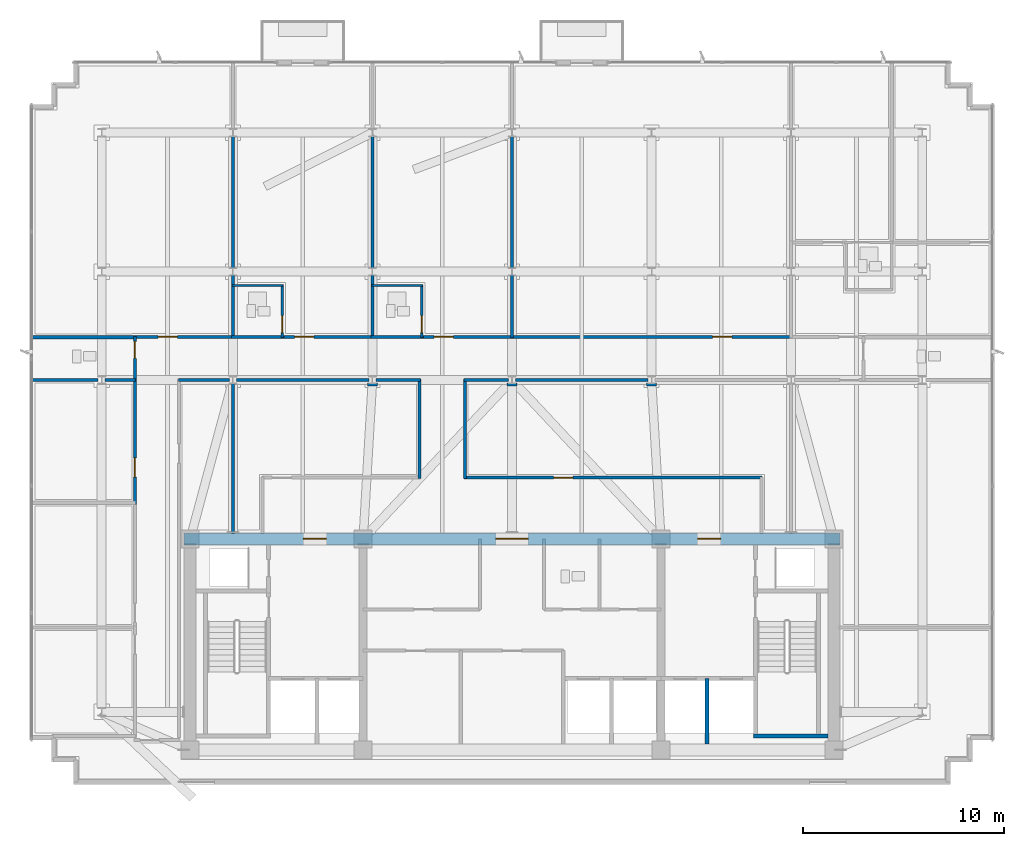
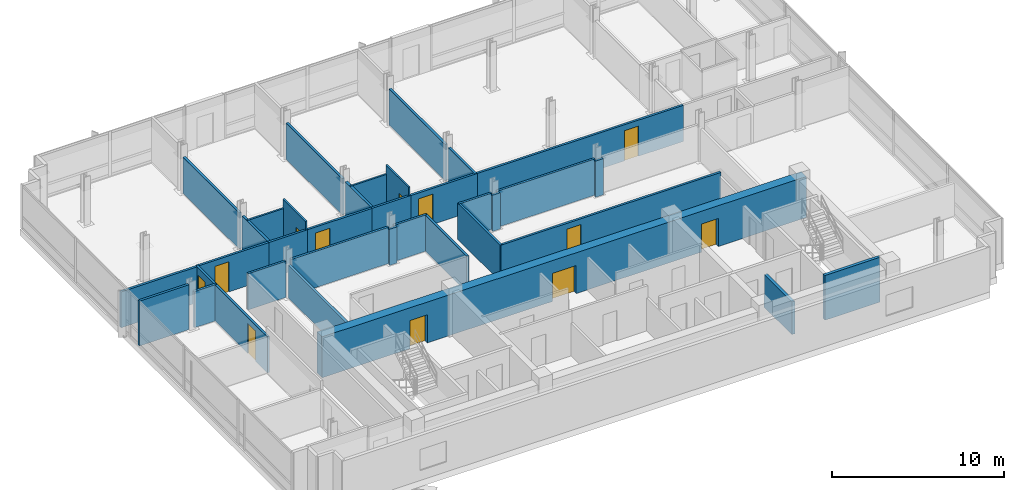
# One storey, part 9 of 16: 36 walls, 12 doors, 12 openings.
"""IFC4 building model written with IfcOpenShell, lengths in metres."""

from ifc_helpers import new_model, si_unit, direction, frame, frame_2d, origin, place, context, subcontext, project, spatial, rectangle, extrude, material, layer, layer_set, type_object, element, fill, save


model = new_model("IFC4")

# Units and contexts
model_context = context("Model", 3, precision=1e-05, world=origin(), true_north=direction((0.0, 1.0)))
body_context = subcontext(model_context, "Body", "Model", "MODEL_VIEW")
ifc_project = project(units=[si_unit("LENGTHUNIT", "METRE"), si_unit("AREAUNIT", "SQUARE_METRE"), si_unit("VOLUMEUNIT", "CUBIC_METRE"), si_unit("PLANEANGLEUNIT", "RADIAN"), si_unit("MASSUNIT", "GRAM", prefix="KILO")], contexts=[model_context])

# Site, building, storey
site_placement = place(None, origin())
site = spatial("IfcSite", under=ifc_project, at=site_placement, CompositionType="ELEMENT")
building_placement = place(site_placement, origin())
building = spatial("IfcBuilding", under=site, at=building_placement, Name="Solmavex Isthmus Hotel", CompositionType="ELEMENT")
storey_placement = place(building_placement, frame((0.0, 0.0, 245.39990234375)))
storey = spatial("IfcBuildingStorey", under=building, at=storey_placement, Name="L66", CompositionType="ELEMENT", Elevation=245.39990234375)

# Walls
ifc_material_1 = material(Name="Gypsum plasterboard lining", Category="gypsum")
ifc_layer_1 = layer(ifc_material_1, 0.159912109375)
ifc_layer_set_1 = layer_set([ifc_layer_1], Name="Gypsum plasterboard lining")
wall_type_1 = type_object("IfcWallType", Name="IW-COMP-160", PredefinedType="PARTITIONING", material=ifc_layer_set_1)
wall_1_placement = place(storey_placement, frame((-13.8720703125, 10.613037109375, 0.0), z_axis=(0.0, 0.0, 1.0), x_axis=(0.0, -1.0, 0.0)))
element("IfcWall", 1, at=wall_1_placement, inside=storey, type_object=wall_type_1, Name="Interior Partition Wall W-L66-P031", PredefinedType="PARTITIONING", context=body_context, shape_type="SweptSolid", body=[
    extrude(rectangle(XDim=3.10302734375, YDim=0.159912109375, at=frame_2d((1.551513671875, 0.0))), origin(), (0.0, 0.0, 1.0), 2.572509765625),
])
wall_2_placement = place(storey_placement, frame((-13.8720703125, 17.52490234375, 0.0), z_axis=(0.0, 0.0, 1.0), x_axis=(0.0, -1.0, 0.0)))
element("IfcWall", 2, at=wall_2_placement, inside=storey, type_object=wall_type_1, Name="Interior Partition Wall W-L66-P032", PredefinedType="PARTITIONING", context=body_context, shape_type="SweptSolid", body=[
    extrude(rectangle(XDim=6.56201171875, YDim=0.159912109375, at=frame_2d((3.281005859375, 0.0))), origin(), (0.0, 0.0, 1.0), 2.572509765625),
])
wall_3_placement = place(storey_placement, frame((-18.7099609375, 7.530029296875, 0.0), z_axis=(0.0, 0.0, 1.0), x_axis=(-1.0, 0.0, 0.0)))
element("IfcWall", 3, at=wall_3_placement, inside=storey, type_object=wall_type_1, Name="Interior Partition Wall W-L66-P034", PredefinedType="PARTITIONING", context=body_context, shape_type="SweptSolid", body=[
    extrude(rectangle(XDim=5.2099609375, YDim=0.159912109375, at=frame_2d((2.60498046875, 0.0))), origin(), (0.0, 0.0, 1.0), 2.5576171875),
])
wall_4_placement = place(storey_placement, frame((-6.93603515625, 10.613037109375, 0.0), z_axis=(0.0, 0.0, 1.0), x_axis=(0.0, -1.0, 0.0)))
element("IfcWall", 4, at=wall_4_placement, inside=storey, type_object=wall_type_1, Name="Interior Partition Wall W-L66-P037", PredefinedType="PARTITIONING", context=body_context, shape_type="SweptSolid", body=[
    extrude(rectangle(XDim=3.10302734375, YDim=0.159912109375, at=frame_2d((1.551513671875, 0.0))), origin(), (0.0, 0.0, 1.0), 2.572509765625),
])
wall_5_placement = place(storey_placement, frame((-6.93603515625, 17.52490234375, 0.0), z_axis=(0.0, 0.0, 1.0), x_axis=(0.0, -1.0, 0.0)))
element("IfcWall", 5, at=wall_5_placement, inside=storey, type_object=wall_type_1, Name="Interior Partition Wall W-L66-P038", PredefinedType="PARTITIONING", context=body_context, shape_type="SweptSolid", body=[
    extrude(rectangle(XDim=6.56201171875, YDim=0.159912109375, at=frame_2d((3.281005859375, 0.0))), origin(), (0.0, 0.0, 1.0), 2.572509765625),
])
wall_6_placement = place(storey_placement, frame((0.0, 10.613037109375, 0.0), z_axis=(0.0, 0.0, 1.0), x_axis=(0.0, -1.0, 0.0)))
element("IfcWall", 6, at=wall_6_placement, inside=storey, type_object=wall_type_1, Name="Interior Partition Wall W-L66-P042", PredefinedType="PARTITIONING", context=body_context, shape_type="SweptSolid", body=[
    extrude(rectangle(XDim=3.10302734375, YDim=0.159912109375, at=frame_2d((1.551513671875, 0.0))), origin(), (0.0, 0.0, 1.0), 2.572509765625),
])
wall_7_placement = place(storey_placement, frame((0.0, 17.52490234375, 0.0), z_axis=(0.0, 0.0, 1.0), x_axis=(0.0, -1.0, 0.0)))
element("IfcWall", 7, at=wall_7_placement, inside=storey, type_object=wall_type_1, Name="Interior Partition Wall W-L66-P043", PredefinedType="PARTITIONING", context=body_context, shape_type="SweptSolid", body=[
    extrude(rectangle(XDim=6.56201171875, YDim=0.159912109375, at=frame_2d((3.281005859375, 0.0))), origin(), (0.0, 0.0, 1.0), 2.572509765625),
])
wall_8_placement = place(storey_placement, frame((-20.574951171875, 5.39990234375, 0.0), z_axis=(0.0, 0.0, 1.0), x_axis=(-1.0, 0.0, 0.0)))
element("IfcWall", 8, at=wall_8_placement, inside=storey, type_object=wall_type_1, Name="Interior Partition Wall W-L66-P057", PredefinedType="PARTITIONING", context=body_context, shape_type="SweptSolid", body=[
    extrude(rectangle(XDim=3.344970703125, YDim=0.159912109375, at=frame_2d((1.67236328125, 0.0))), origin(), (0.0, 0.0, 1.0), 3.190185546875),
])
wall_9_placement = place(storey_placement, frame((-18.7099609375, 5.39990234375, 0.0), z_axis=(0.0, 0.0, 1.0), x_axis=(-1.0, 0.0, 0.0)))
element("IfcWall", 9, at=wall_9_placement, inside=storey, type_object=wall_type_1, Name="Interior Partition Wall W-L66-P058", PredefinedType="PARTITIONING", context=body_context, shape_type="SweptSolid", body=[
    extrude(rectangle(XDim=1.51513671875, YDim=0.159912109375, at=frame_2d((0.757568359375, 0.0))), origin(), (0.0, 0.0, 1.0), 2.572509765625),
])
wall_10_placement = place(storey_placement, frame((-13.8720703125, 5.22509765625, 0.0), z_axis=(0.0, 0.0, 1.0), x_axis=(0.0, -1.0, 0.0)))
element("IfcWall", 10, at=wall_10_placement, inside=storey, type_object=wall_type_1, Name="Interior Partition Wall W-L66-P061", PredefinedType="PARTITIONING", context=body_context, shape_type="SweptSolid", body=[
    extrude(rectangle(XDim=7.465087890625, YDim=0.159912109375, at=frame_2d((3.732421875, 0.0))), origin(), (0.0, 0.0, 1.0), 2.3251953125),
])

# Wall, opening, door
ifc_layer_2 = layer(ifc_material_1, 0.14990234375)
ifc_layer_set_2 = layer_set([ifc_layer_2], Name="Gypsum plasterboard lining")
wall_type_2 = type_object("IfcWallType", Name="IW-CORR-150", PredefinedType="PARTITIONING", material=ifc_layer_set_2)
wall_11_placement = place(storey_placement, frame((-18.7900390625, 7.550048828125, 0.0), z_axis=(0.0, 0.0, 1.0), x_axis=(1.0, 0.0, 0.0)))
wall_11 = element("IfcWall", 11, at=wall_11_placement, inside=storey, type_object=wall_type_2, Name="Interior Partition Wall W-L66-P001", PredefinedType="PARTITIONING", context=body_context, shape_type="SweptSolid", body=[
    extrude(rectangle(XDim=5.0, YDim=0.14990234375, at=frame_2d((2.5, 0.0))), origin(), (0.0, 0.0, 1.0), 2.572509765625),
])
opening_1_placement = place(wall_11_placement, frame((1.198486328125, 0.0, 0.0)))
opening_1 = element("IfcOpeningElement", 12, at=opening_1_placement, cuts=wall_11, Name="Opening ID-C095", PredefinedType="OPENING", context=body_context, shape_type="SweptSolid", body=[
    extrude(rectangle(XDim=0.949951171875, YDim=2.14990234375, at=frame_2d((0.47509765625, 1.074951171875))), frame((0.0, 0.0849609375, 0.0), z_axis=(0.0, -1.0, 0.0), x_axis=(1.0, 0.0, 0.0)), (0.0, 0.0, 1.0), 0.169921875),
])
ifc_material_2 = material(Name="Hardwood timber", Category="wood")
door_type_1 = type_object("IfcDoorType", Name="IDR-FD60-0950", OperationType="NOTDEFINED", PredefinedType="DOOR", material=ifc_material_2)
door_1_placement = place(opening_1_placement, origin())
door_1 = element("IfcDoor", 13, at=door_1_placement, inside=storey, type_object=door_type_1, Name="Executive Hospitality Lounge Door L66-01", OperationType="SINGLE_SWING_LEFT", OverallHeight=2.14990234375, OverallWidth=0.949951171875, PredefinedType="DOOR", context=body_context, shape_type="SweptSolid", body=[
    extrude(rectangle(XDim=0.949951171875, YDim=2.14990234375, at=frame_2d((0.47509765625, 1.074951171875))), frame((0.0, 0.02490234375, 0.0), z_axis=(0.0, -1.0, 0.0), x_axis=(1.0, 0.0, 0.0)), (0.0, 0.0, 1.0), 0.050048828125),
])
fill(opening_1, door_1)

wall_12_placement = place(storey_placement, frame((-11.50390625, 7.550048828125, 0.0), z_axis=(0.0, 0.0, 1.0), x_axis=(1.0, 0.0, 0.0)))
wall_12 = element("IfcWall", 14, at=wall_12_placement, inside=storey, type_object=wall_type_2, Name="Interior Partition Wall W-L66-P002", PredefinedType="PARTITIONING", context=body_context, shape_type="SweptSolid", body=[
    extrude(rectangle(XDim=4.64990234375, YDim=0.14990234375, at=frame_2d((2.324951171875, 0.0))), origin(), (0.0, 0.0, 1.0), 2.572509765625),
])
opening_2_placement = place(wall_12_placement, frame((0.698486328125, 0.0, 0.0)))
opening_2 = element("IfcOpeningElement", 15, at=opening_2_placement, cuts=wall_12, Name="Opening ID-C095", PredefinedType="OPENING", context=body_context, shape_type="SweptSolid", body=[
    extrude(rectangle(XDim=0.949951171875, YDim=2.14990234375, at=frame_2d((0.47509765625, 1.074951171875))), frame((0.0, 0.0849609375, 0.0), z_axis=(0.0, -1.0, 0.0), x_axis=(1.0, 0.0, 0.0)), (0.0, 0.0, 1.0), 0.169921875),
])
door_2_placement = place(opening_2_placement, origin())
door_2 = element("IfcDoor", 16, at=door_2_placement, inside=storey, type_object=door_type_1, Name="Ambassador Suite Door L66-02", OperationType="SINGLE_SWING_RIGHT", OverallHeight=2.14990234375, OverallWidth=0.949951171875, PredefinedType="DOOR", context=body_context, shape_type="SweptSolid", body=[
    extrude(rectangle(XDim=0.949951171875, YDim=2.14990234375, at=frame_2d((0.47509765625, 1.074951171875))), frame((0.0, 0.02490234375, 0.0), z_axis=(0.0, -1.0, 0.0), x_axis=(1.0, 0.0, 0.0)), (0.0, 0.0, 1.0), 0.050048828125),
])
fill(opening_2, door_2)

# Wall
wall_13_placement = place(storey_placement, frame((-13.9541015625, 7.550048828125, 0.0), z_axis=(0.0, 0.0, 1.0), x_axis=(1.0, 0.0, 0.0)))
element("IfcWall", 17, at=wall_13_placement, inside=storey, type_object=wall_type_2, Name="Interior Partition Wall W-L66-P003", PredefinedType="PARTITIONING", context=body_context, shape_type="SweptSolid", body=[
    extrude(rectangle(XDim=2.614013671875, YDim=0.14990234375, at=frame_2d((1.30712890625, 0.0))), origin(), (0.0, 0.0, 1.0), 2.572509765625),
])

# Wall, opening, door
wall_14_placement = place(storey_placement, frame((-4.568115234375, 7.550048828125, 0.0), z_axis=(0.0, 0.0, 1.0), x_axis=(1.0, 0.0, 0.0)))
wall_14 = element("IfcWall", 18, at=wall_14_placement, inside=storey, type_object=wall_type_2, Name="Interior Partition Wall W-L66-P004", PredefinedType="PARTITIONING", context=body_context, shape_type="SweptSolid", body=[
    extrude(rectangle(XDim=4.650146484375, YDim=0.14990234375, at=frame_2d((2.3251953125, 0.0))), origin(), (0.0, 0.0, 1.0), 2.572509765625),
])
opening_3_placement = place(wall_14_placement, frame((0.698486328125, 0.0, 0.0)))
opening_3 = element("IfcOpeningElement", 19, at=opening_3_placement, cuts=wall_14, Name="Opening ID-C095", PredefinedType="OPENING", context=body_context, shape_type="SweptSolid", body=[
    extrude(rectangle(XDim=0.949951171875, YDim=2.14990234375, at=frame_2d((0.47509765625, 1.074951171875))), frame((0.0, 0.0849609375, 0.0), z_axis=(0.0, -1.0, 0.0), x_axis=(1.0, 0.0, 0.0)), (0.0, 0.0, 1.0), 0.169921875),
])
door_3_placement = place(opening_3_placement, origin())
door_3 = element("IfcDoor", 20, at=door_3_placement, inside=storey, type_object=door_type_1, Name="Junior Suite Door L66-04", OperationType="SINGLE_SWING_RIGHT", OverallHeight=2.14990234375, OverallWidth=0.949951171875, PredefinedType="DOOR", context=body_context, shape_type="SweptSolid", body=[
    extrude(rectangle(XDim=0.949951171875, YDim=2.14990234375, at=frame_2d((0.47509765625, 1.074951171875))), frame((0.0, 0.02490234375, 0.0), z_axis=(0.0, -1.0, 0.0), x_axis=(1.0, 0.0, 0.0)), (0.0, 0.0, 1.0), 0.050048828125),
])
fill(opening_3, door_3)

# Wall
wall_15_placement = place(storey_placement, frame((-7.01806640625, 7.550048828125, 0.0), z_axis=(0.0, 0.0, 1.0), x_axis=(1.0, 0.0, 0.0)))
element("IfcWall", 21, at=wall_15_placement, inside=storey, type_object=wall_type_2, Name="Interior Partition Wall W-L66-P005", PredefinedType="PARTITIONING", context=body_context, shape_type="SweptSolid", body=[
    extrude(rectangle(XDim=2.614013671875, YDim=0.14990234375, at=frame_2d((1.30712890625, 0.0))), origin(), (0.0, 0.0, 1.0), 2.572509765625),
])

# Wall, opening, door
wall_16_placement = place(storey_placement, frame((-0.08203125, 7.550048828125, 0.0), z_axis=(0.0, 0.0, 1.0), x_axis=(1.0, 0.0, 0.0)))
wall_16 = element("IfcWall", 22, at=wall_16_placement, inside=storey, type_object=wall_type_2, Name="Interior Partition Wall W-L66-P006", PredefinedType="PARTITIONING", context=body_context, shape_type="SweptSolid", body=[
    extrude(rectangle(XDim=14.0361328125, YDim=0.14990234375, at=frame_2d((7.01806640625, 0.0))), origin(), (0.0, 0.0, 1.0), 2.572509765625),
])
opening_4_placement = place(wall_16_placement, frame((10.059814453125, 0.0, 0.0)))
opening_4 = element("IfcOpeningElement", 23, at=opening_4_placement, cuts=wall_16, Name="Opening ID-C095", PredefinedType="OPENING", context=body_context, shape_type="SweptSolid", body=[
    extrude(rectangle(XDim=0.949951171875, YDim=2.14990234375, at=frame_2d((0.47509765625, 1.074951171875))), frame((0.0, 0.0849609375, 0.0), z_axis=(0.0, -1.0, 0.0), x_axis=(1.0, 0.0, 0.0)), (0.0, 0.0, 1.0), 0.169921875),
])
door_4_placement = place(opening_4_placement, origin())
door_4 = element("IfcDoor", 24, at=door_4_placement, inside=storey, type_object=door_type_1, Name="Corporate Briefing Office Door L66-06", OperationType="SINGLE_SWING_RIGHT", OverallHeight=2.14990234375, OverallWidth=0.949951171875, PredefinedType="DOOR", context=body_context, shape_type="SweptSolid", body=[
    extrude(rectangle(XDim=0.949951171875, YDim=2.14990234375, at=frame_2d((0.47509765625, 1.074951171875))), frame((0.0, 0.02490234375, 0.0), z_axis=(0.0, -1.0, 0.0), x_axis=(1.0, 0.0, 0.0)), (0.0, 0.0, 1.0), 0.050048828125),
])
fill(opening_4, door_4)

wall_17_placement = place(storey_placement, frame((-18.75, 5.318115234375, 0.0), z_axis=(0.0, 0.0, 1.0), x_axis=(0.0, 1.0, 0.0)))
wall_17 = element("IfcWall", 25, at=wall_17_placement, inside=storey, type_object=wall_type_2, Name="Interior Partition Wall W-L66-P008", PredefinedType="PARTITIONING", context=body_context, shape_type="SweptSolid", body=[
    extrude(rectangle(XDim=2.251953125, YDim=0.14990234375, at=frame_2d((1.1259765625, 0.0))), origin(), (0.0, 0.0, 1.0), 2.572509765625),
])
opening_5_placement = place(wall_17_placement, frame((1.156982421875, 0.0, 0.0)))
opening_5 = element("IfcOpeningElement", 26, at=opening_5_placement, cuts=wall_17, Name="Opening ID-R085", PredefinedType="OPENING", context=body_context, shape_type="SweptSolid", body=[
    extrude(rectangle(XDim=0.85009765625, YDim=2.050048828125, at=frame_2d((0.425048828125, 1.02490234375))), frame((0.0, 0.0849609375, 0.0), z_axis=(0.0, -1.0, 0.0), x_axis=(1.0, 0.0, 0.0)), (0.0, 0.0, 1.0), 0.169921875),
])
ifc_material_3 = material(Name="Steel ASTM A500 Grade C", Category="steel")
door_type_2 = type_object("IfcDoorType", Name="IDR-FD60-0850", OperationType="NOTDEFINED", PredefinedType="DOOR", material=ifc_material_3)
door_5_placement = place(opening_5_placement, frame((0.85009765625, 0.0, 0.0), z_axis=(0.0, 0.0, 1.0), x_axis=(-1.0, 0.0, 0.0)))
door_5 = element("IfcDoor", 27, at=door_5_placement, inside=storey, type_object=door_type_2, Name="Accessible Public Restroom WC Door L66-11", OperationType="SINGLE_SWING_LEFT", OverallHeight=2.050048828125, OverallWidth=0.85009765625, PredefinedType="DOOR", context=body_context, shape_type="SweptSolid", body=[
    extrude(rectangle(XDim=0.85009765625, YDim=2.050048828125, at=frame_2d((0.425048828125, 1.02490234375))), frame((0.0, 0.02490234375, 0.0), z_axis=(0.0, -1.0, 0.0), x_axis=(1.0, 0.0, 0.0)), (0.0, 0.0, 1.0), 0.050048828125),
])
fill(opening_5, door_5)

# Wall
wall_18_placement = place(storey_placement, frame((-14.047119140625, 5.39990234375, 0.0), z_axis=(0.0, 0.0, 1.0), x_axis=(-1.0, 0.0, 0.0)))
element("IfcWall", 28, at=wall_18_placement, inside=storey, type_object=wall_type_2, Name="Interior Partition Wall W-L66-P010", PredefinedType="PARTITIONING", context=body_context, shape_type="SweptSolid", body=[
    extrude(rectangle(XDim=2.54296875, YDim=0.14990234375, at=frame_2d((1.271484375, 0.0))), origin(), (0.0, 0.0, 1.0), 2.572509765625),
])

# Wall, opening, door
wall_19_placement = place(storey_placement, frame((-18.75, -0.781982421875, 0.0), z_axis=(0.0, 0.0, 1.0), x_axis=(0.0, 1.0, 0.0)))
wall_19 = element("IfcWall", 29, at=wall_19_placement, inside=storey, type_object=wall_type_2, Name="Interior Partition Wall W-L66-P013", PredefinedType="PARTITIONING", context=body_context, shape_type="SweptSolid", body=[
    extrude(rectangle(XDim=6.263916015625, YDim=0.14990234375, at=frame_2d((3.1318359375, 0.0))), origin(), (0.0, 0.0, 1.0), 2.572509765625),
])
opening_6_placement = place(wall_19_placement, frame((1.3583984375, 0.0, 0.0)))
opening_6 = element("IfcOpeningElement", 30, at=opening_6_placement, cuts=wall_19, Name="Opening ID-C095", PredefinedType="OPENING", context=body_context, shape_type="SweptSolid", body=[
    extrude(rectangle(XDim=0.949951171875, YDim=2.14990234375, at=frame_2d((0.47509765625, 1.074951171875))), frame((0.0, 0.0849609375, 0.0), z_axis=(0.0, -1.0, 0.0), x_axis=(1.0, 0.0, 0.0)), (0.0, 0.0, 1.0), 0.169921875),
])
door_6_placement = place(opening_6_placement, origin())
door_6 = element("IfcDoor", 31, at=door_6_placement, inside=storey, type_object=door_type_1, Name="Pantry Kitchen Door L66-15", OperationType="SINGLE_SWING_LEFT", OverallHeight=2.14990234375, OverallWidth=0.949951171875, PredefinedType="DOOR", context=body_context, shape_type="SweptSolid", body=[
    extrude(rectangle(XDim=0.949951171875, YDim=2.14990234375, at=frame_2d((0.47509765625, 1.074951171875))), frame((0.0, 0.02490234375, 0.0), z_axis=(0.0, -1.0, 0.0), x_axis=(1.0, 0.0, 0.0)), (0.0, 0.0, 1.0), 0.050048828125),
])
fill(opening_6, door_6)

# Walls
wall_20_placement = place(storey_placement, frame((-4.587890625, 0.510009765625, 0.0), z_axis=(0.0, 0.0, 1.0), x_axis=(0.0, 1.0, 0.0)))
element("IfcWall", 32, at=wall_20_placement, inside=storey, type_object=wall_type_2, Name="Interior Partition Wall W-L66-P017", PredefinedType="PARTITIONING", context=body_context, shape_type="SweptSolid", body=[
    extrude(rectangle(XDim=4.929931640625, YDim=0.14990234375, at=frame_2d((2.46484375, 0.0))), origin(), (0.0, 0.0, 1.0), 2.572509765625),
])
wall_21_placement = place(storey_placement, frame((-4.548095703125, 5.39990234375, 0.0), z_axis=(0.0, 0.0, 1.0), x_axis=(-1.0, 0.0, 0.0)))
element("IfcWall", 33, at=wall_21_placement, inside=storey, type_object=wall_type_2, Name="Interior Partition Wall W-L66-P018", PredefinedType="PARTITIONING", context=body_context, shape_type="SweptSolid", body=[
    extrude(rectangle(XDim=2.212890625, YDim=0.14990234375, at=frame_2d((1.1064453125, 0.0))), origin(), (0.0, 0.0, 1.0), 2.572509765625),
])
wall_22_placement = place(storey_placement, frame((-6.680908203125, 5.18505859375, 0.0), z_axis=(0.0, 0.0, 1.0), x_axis=(-1.0, 0.0, 0.0)))
element("IfcWall", 34, at=wall_22_placement, inside=storey, type_object=wall_type_2, Name="Interior Partition Wall W-L66-P019", PredefinedType="PARTITIONING", context=body_context, shape_type="SweptSolid", body=[
    extrude(rectangle(XDim=0.510009765625, YDim=0.14990234375, at=frame_2d((0.2548828125, 0.0))), origin(), (0.0, 0.0, 1.0), 2.572509765625),
])
wall_23_placement = place(storey_placement, frame((-7.111083984375, 5.39990234375, 0.0), z_axis=(0.0, 0.0, 1.0), x_axis=(-1.0, 0.0, 0.0)))
element("IfcWall", 35, at=wall_23_placement, inside=storey, type_object=wall_type_2, Name="Interior Partition Wall W-L66-P020", PredefinedType="PARTITIONING", context=body_context, shape_type="SweptSolid", body=[
    extrude(rectangle(XDim=6.5859375, YDim=0.14990234375, at=frame_2d((3.29296875, 0.0))), origin(), (0.0, 0.0, 1.0), 2.572509765625),
])
wall_24_placement = place(storey_placement, frame((7.19091796875, 5.18505859375, 0.0), z_axis=(0.0, 0.0, 1.0), x_axis=(-1.0, 0.0, 0.0)))
element("IfcWall", 36, at=wall_24_placement, inside=storey, type_object=wall_type_2, Name="Interior Partition Wall W-L66-P022", PredefinedType="PARTITIONING", context=body_context, shape_type="SweptSolid", body=[
    extrude(rectangle(XDim=0.510009765625, YDim=0.14990234375, at=frame_2d((0.2548828125, 0.0))), origin(), (0.0, 0.0, 1.0), 2.572509765625),
])
wall_25_placement = place(storey_placement, frame((6.760986328125, 5.39990234375, 0.0), z_axis=(0.0, 0.0, 1.0), x_axis=(-1.0, 0.0, 0.0)))
element("IfcWall", 37, at=wall_25_placement, inside=storey, type_object=wall_type_2, Name="Interior Partition Wall W-L66-P023", PredefinedType="PARTITIONING", context=body_context, shape_type="SweptSolid", body=[
    extrude(rectangle(XDim=6.5859375, YDim=0.14990234375, at=frame_2d((3.29296875, 0.0))), origin(), (0.0, 0.0, 1.0), 2.572509765625),
])
wall_26_placement = place(storey_placement, frame((0.2548828125, 5.18505859375, 0.0), z_axis=(0.0, 0.0, 1.0), x_axis=(-1.0, 0.0, 0.0)))
element("IfcWall", 38, at=wall_26_placement, inside=storey, type_object=wall_type_2, Name="Interior Partition Wall W-L66-P024", PredefinedType="PARTITIONING", context=body_context, shape_type="SweptSolid", body=[
    extrude(rectangle(XDim=0.509765625, YDim=0.14990234375, at=frame_2d((0.2548828125, 0.0))), origin(), (0.0, 0.0, 1.0), 2.572509765625),
])
wall_27_placement = place(storey_placement, frame((-0.175048828125, 5.39990234375, 0.0), z_axis=(0.0, 0.0, 1.0), x_axis=(-1.0, 0.0, 0.0)))
element("IfcWall", 39, at=wall_27_placement, inside=storey, type_object=wall_type_2, Name="Interior Partition Wall W-L66-P025", PredefinedType="PARTITIONING", context=body_context, shape_type="SweptSolid", body=[
    extrude(rectangle(XDim=2.212890625, YDim=0.14990234375, at=frame_2d((1.1064453125, 0.0))), origin(), (0.0, 0.0, 1.0), 2.572509765625),
])
wall_28_placement = place(storey_placement, frame((-2.347900390625, 5.43994140625, 0.0), z_axis=(0.0, 0.0, 1.0), x_axis=(0.0, -1.0, 0.0)))
element("IfcWall", 40, at=wall_28_placement, inside=storey, type_object=wall_type_2, Name="Interior Partition Wall W-L66-P026", PredefinedType="PARTITIONING", context=body_context, shape_type="SweptSolid", body=[
    extrude(rectangle(XDim=4.929931640625, YDim=0.14990234375, at=frame_2d((2.46484375, 0.0))), origin(), (0.0, 0.0, 1.0), 2.572509765625),
])

# Wall, opening, door
wall_29_placement = place(storey_placement, frame((-2.387939453125, 0.550048828125, 0.0), z_axis=(0.0, 0.0, 1.0), x_axis=(1.0, 0.0, 0.0)))
wall_29 = element("IfcWall", 41, at=wall_29_placement, inside=storey, type_object=wall_type_2, Name="Interior Partition Wall W-L66-P027", PredefinedType="PARTITIONING", context=body_context, shape_type="SweptSolid", body=[
    extrude(rectangle(XDim=14.827880859375, YDim=0.14990234375, at=frame_2d((7.4140625, 0.0))), origin(), (0.0, 0.0, 1.0), 2.572509765625),
])
opening_7_placement = place(wall_29_placement, frame((4.461181640625, 0.0, 0.0)))
opening_7 = element("IfcOpeningElement", 42, at=opening_7_placement, cuts=wall_29, Name="Opening ID-C095", PredefinedType="OPENING", context=body_context, shape_type="SweptSolid", body=[
    extrude(rectangle(XDim=0.949951171875, YDim=2.14990234375, at=frame_2d((0.47509765625, 1.074951171875))), frame((0.0, 0.0849609375, 0.0), z_axis=(0.0, -1.0, 0.0), x_axis=(1.0, 0.0, 0.0)), (0.0, 0.0, 1.0), 0.169921875),
])
door_7_placement = place(opening_7_placement, frame((0.949951171875, 0.0, 0.0), z_axis=(0.0, 0.0, 1.0), x_axis=(-1.0, 0.0, 0.0)))
door_7 = element("IfcDoor", 43, at=door_7_placement, inside=storey, type_object=door_type_1, Name="Executive Meeting Room Door L66-18", OperationType="SINGLE_SWING_RIGHT", OverallHeight=2.14990234375, OverallWidth=0.949951171875, PredefinedType="DOOR", context=body_context, shape_type="SweptSolid", body=[
    extrude(rectangle(XDim=0.949951171875, YDim=2.14990234375, at=frame_2d((0.47509765625, 1.074951171875))), frame((0.0, 0.02490234375, 0.0), z_axis=(0.0, -1.0, 0.0), x_axis=(1.0, 0.0, 0.0)), (0.0, 0.0, 1.0), 0.050048828125),
])
fill(opening_7, door_7)

ifc_layer_3 = layer(ifc_material_1, 0.1201171875)
ifc_layer_set_3 = layer_set([ifc_layer_3], Name="Gypsum plasterboard lining")
wall_type_3 = type_object("IfcWallType", Name="IW-PART-120", PredefinedType="PARTITIONING", material=ifc_layer_set_3)
wall_30_placement = place(storey_placement, frame((-11.422119140625, 7.510009765625, 0.0), z_axis=(0.0, 0.0, 1.0), x_axis=(0.0, 1.0, 0.0)))
wall_30 = element("IfcWall", 44, at=wall_30_placement, inside=storey, type_object=wall_type_3, Name="Interior Partition Wall W-L66-P035", PredefinedType="PARTITIONING", context=body_context, shape_type="SweptSolid", body=[
    extrude(rectangle(XDim=2.6298828125, YDim=0.1201171875, at=frame_2d((1.31494140625, 0.0))), origin(), (0.0, 0.0, 1.0), 3.190185546875),
])
opening_8_placement = place(wall_30_placement, frame((0.247314453125, 0.0, 0.0)))
opening_8 = element("IfcOpeningElement", 45, at=opening_8_placement, cuts=wall_30, Name="Opening ID-U085", PredefinedType="OPENING", context=body_context, shape_type="SweptSolid", body=[
    extrude(rectangle(XDim=0.85009765625, YDim=2.10009765625, at=frame_2d((0.425048828125, 1.050048828125))), frame((0.0, 0.070068359375, 0.0), z_axis=(0.0, -1.0, 0.0), x_axis=(1.0, 0.0, 0.0)), (0.0, 0.0, 1.0), 0.14013671875),
])
door_type_3 = type_object("IfcDoorType", Name="IDR-UNR-0850", OperationType="NOTDEFINED", PredefinedType="DOOR", material=ifc_material_2)
door_8_placement = place(opening_8_placement, frame((0.85009765625, 0.0, 0.0), z_axis=(0.0, 0.0, 1.0), x_axis=(-1.0, 0.0, 0.0)))
door_8 = element("IfcDoor", 46, at=door_8_placement, inside=storey, type_object=door_type_3, Name="En-suite Bathroom Door L66-03", OperationType="SINGLE_SWING_LEFT", OverallHeight=2.10009765625, OverallWidth=0.85009765625, PredefinedType="DOOR", context=body_context, shape_type="SweptSolid", body=[
    extrude(rectangle(XDim=0.85009765625, YDim=2.10009765625, at=frame_2d((0.425048828125, 1.050048828125))), frame((0.0, 0.02490234375, 0.0), z_axis=(0.0, -1.0, 0.0), x_axis=(1.0, 0.0, 0.0)), (0.0, 0.0, 1.0), 0.050048828125),
])
fill(opening_8, door_8)

# Wall
wall_31_placement = place(storey_placement, frame((-11.382080078125, 10.10009765625, 0.0), z_axis=(0.0, 0.0, 1.0), x_axis=(-1.0, 0.0, 0.0)))
element("IfcWall", 47, at=wall_31_placement, inside=storey, type_object=wall_type_3, Name="Interior Partition Wall W-L66-P036", PredefinedType="PARTITIONING", context=body_context, shape_type="SweptSolid", body=[
    extrude(rectangle(XDim=2.530029296875, YDim=0.1201171875, at=frame_2d((1.26513671875, 0.0))), origin(), (0.0, 0.0, 1.0), 2.572509765625),
])

# Wall, opening, door
wall_32_placement = place(storey_placement, frame((-4.486083984375, 7.510009765625, 0.0), z_axis=(0.0, 0.0, 1.0), x_axis=(0.0, 1.0, 0.0)))
wall_32 = element("IfcWall", 48, at=wall_32_placement, inside=storey, type_object=wall_type_3, Name="Interior Partition Wall W-L66-P040", PredefinedType="PARTITIONING", context=body_context, shape_type="SweptSolid", body=[
    extrude(rectangle(XDim=2.6298828125, YDim=0.1201171875, at=frame_2d((1.31494140625, 0.0))), origin(), (0.0, 0.0, 1.0), 3.190185546875),
])
opening_9_placement = place(wall_32_placement, frame((0.247314453125, 0.0, 0.0)))
opening_9 = element("IfcOpeningElement", 49, at=opening_9_placement, cuts=wall_32, Name="Opening ID-U085", PredefinedType="OPENING", context=body_context, shape_type="SweptSolid", body=[
    extrude(rectangle(XDim=0.85009765625, YDim=2.10009765625, at=frame_2d((0.425048828125, 1.050048828125))), frame((0.0, 0.070068359375, 0.0), z_axis=(0.0, -1.0, 0.0), x_axis=(1.0, 0.0, 0.0)), (0.0, 0.0, 1.0), 0.14013671875),
])
door_9_placement = place(opening_9_placement, frame((0.85009765625, 0.0, 0.0), z_axis=(0.0, 0.0, 1.0), x_axis=(-1.0, 0.0, 0.0)))
door_9 = element("IfcDoor", 50, at=door_9_placement, inside=storey, type_object=door_type_3, Name="En-suite Bathroom Door L66-05", OperationType="SINGLE_SWING_LEFT", OverallHeight=2.10009765625, OverallWidth=0.85009765625, PredefinedType="DOOR", context=body_context, shape_type="SweptSolid", body=[
    extrude(rectangle(XDim=0.85009765625, YDim=2.10009765625, at=frame_2d((0.425048828125, 1.050048828125))), frame((0.0, 0.02490234375, 0.0), z_axis=(0.0, -1.0, 0.0), x_axis=(1.0, 0.0, 0.0)), (0.0, 0.0, 1.0), 0.050048828125),
])
fill(opening_9, door_9)

# Walls
wall_33_placement = place(storey_placement, frame((-4.446044921875, 10.10009765625, 0.0), z_axis=(0.0, 0.0, 1.0), x_axis=(-1.0, 0.0, 0.0)))
element("IfcWall", 51, at=wall_33_placement, inside=storey, type_object=wall_type_3, Name="Interior Partition Wall W-L66-P041", PredefinedType="PARTITIONING", context=body_context, shape_type="SweptSolid", body=[
    extrude(rectangle(XDim=2.530029296875, YDim=0.1201171875, at=frame_2d((1.26513671875, 0.0))), origin(), (0.0, 0.0, 1.0), 2.572509765625),
])
ifc_material_4 = material(Name="Concrete C40/50", Category="concrete")
ifc_layer_4 = layer(ifc_material_4, 0.199951171875)
ifc_layer_set_4 = layer_set([ifc_layer_4], Name="Concrete C40/50")
wall_type_4 = type_object("IfcWallType", Name="IW-SHAFT-200", PredefinedType="PARTITIONING", material=ifc_layer_set_4)
wall_34_placement = place(storey_placement, frame((9.699951171875, -12.699951171875, 0.0), z_axis=(0.0, 0.0, 1.0), x_axis=(0.0, 1.0, 0.0)))
element("IfcWall", 52, at=wall_34_placement, inside=storey, type_object=wall_type_4, Name="Interior Partition Wall W-L66-FFLE-M", PredefinedType="PARTITIONING", context=body_context, shape_type="SweptSolid", body=[
    extrude(rectangle(XDim=3.25, YDim=0.199951171875, at=frame_2d((1.625, 0.0))), origin(), (0.0, 0.0, 1.0), 2.3251953125),
])

# Wall, openings, doors
ifc_material_5 = material(Name="Concrete C50/60", Category="concrete")
ifc_layer_5 = layer(ifc_material_5, 0.60009765625)
ifc_layer_set_5 = layer_set([ifc_layer_5], Name="Concrete C50/60")
wall_type_5 = type_object("IfcWallType", Name="WALL-CW-600", PredefinedType="SHEAR", material=ifc_layer_set_5)
wall_35_placement = place(storey_placement, frame((-16.300048828125, -2.5, 0.0), z_axis=(0.0, 0.0, 1.0), x_axis=(1.0, 0.0, 0.0)))
wall_35 = element("IfcWall", 53, at=wall_35_placement, inside=storey, type_object=wall_type_5, Name="Core Shear Wall North L66", PredefinedType="SHEAR", context=body_context, shape_type="SweptSolid", body=[
    extrude(rectangle(XDim=32.60009765625, YDim=0.60009765625, at=frame_2d((16.300048828125, 0.0))), origin(), (0.0, 0.0, 1.0), 2.91015625),
])
opening_10_placement = place(wall_35_placement, frame((5.925048828125, 0.0, 0.0)))
opening_10 = element("IfcOpeningElement", 54, at=opening_10_placement, cuts=wall_35, Name="Opening ID-F915", PredefinedType="OPENING", context=body_context, shape_type="SweptSolid", body=[
    extrude(rectangle(XDim=1.14990234375, YDim=2.0, at=frame_2d((0.574951171875, 1.0))), frame((0.0, 0.31005859375, 0.0), z_axis=(0.0, -1.0, 0.0), x_axis=(1.0, 0.0, 0.0)), (0.0, 0.0, 1.0), 0.6201171875),
])
opening_11_placement = place(wall_35_placement, frame((15.5, 0.0, 0.0)))
opening_11 = element("IfcOpeningElement", 55, at=opening_11_placement, cuts=wall_35, Name="Opening ID-F960", PredefinedType="OPENING", context=body_context, shape_type="SweptSolid", body=[
    extrude(rectangle(XDim=1.60009765625, YDim=2.0, at=frame_2d((0.800048828125, 1.0))), frame((0.0, 0.31005859375, 0.0), z_axis=(0.0, -1.0, 0.0), x_axis=(1.0, 0.0, 0.0)), (0.0, 0.0, 1.0), 0.6201171875),
])
opening_12_placement = place(wall_35_placement, frame((25.52490234375, 0.0, 0.0)))
opening_12 = element("IfcOpeningElement", 56, at=opening_12_placement, cuts=wall_35, Name="Opening ID-F915", PredefinedType="OPENING", context=body_context, shape_type="SweptSolid", body=[
    extrude(rectangle(XDim=1.14990234375, YDim=2.0, at=frame_2d((0.574951171875, 1.0))), frame((0.0, 0.31005859375, 0.0), z_axis=(0.0, -1.0, 0.0), x_axis=(1.0, 0.0, 0.0)), (0.0, 0.0, 1.0), 0.6201171875),
])
door_type_4 = type_object("IfcDoorType", Name="IDR-FD90-1150C", OperationType="NOTDEFINED", PredefinedType="DOOR", material=ifc_material_3)
door_10_placement = place(opening_10_placement, origin())
door_10 = element("IfcDoor", 57, at=door_10_placement, inside=storey, type_object=door_type_4, Name="Firefighting Lobby West Exit Door L66", OperationType="SINGLE_SWING_LEFT", OverallHeight=2.0, OverallWidth=1.14990234375, PredefinedType="DOOR", context=body_context, shape_type="SweptSolid", body=[
    extrude(rectangle(XDim=1.14990234375, YDim=2.0, at=frame_2d((0.574951171875, 1.0))), frame((0.0, 0.02490234375, 0.0), z_axis=(0.0, -1.0, 0.0), x_axis=(1.0, 0.0, 0.0)), (0.0, 0.0, 1.0), 0.050048828125),
])
fill(opening_10, door_10)
door_11_placement = place(opening_12_placement, origin())
door_11 = element("IfcDoor", 58, at=door_11_placement, inside=storey, type_object=door_type_4, Name="Firefighting Lobby East Exit Door L66", OperationType="SINGLE_SWING_RIGHT", OverallHeight=2.0, OverallWidth=1.14990234375, PredefinedType="DOOR", context=body_context, shape_type="SweptSolid", body=[
    extrude(rectangle(XDim=1.14990234375, YDim=2.0, at=frame_2d((0.574951171875, 1.0))), frame((0.0, 0.02490234375, 0.0), z_axis=(0.0, -1.0, 0.0), x_axis=(1.0, 0.0, 0.0)), (0.0, 0.0, 1.0), 0.050048828125),
])
fill(opening_12, door_11)
door_type_5 = type_object("IfcDoorType", Name="IDR-FD90-1600C", OperationType="NOTDEFINED", PredefinedType="DOOR", material=ifc_material_3)
door_12_placement = place(opening_11_placement, origin())
door_12 = element("IfcDoor", 59, at=door_12_placement, inside=storey, type_object=door_type_5, Name="Central Lift Lobby Door L66", OperationType="DOUBLE_DOOR_SINGLE_SWING", OverallHeight=2.0, OverallWidth=1.60009765625, PredefinedType="DOOR", context=body_context, shape_type="SweptSolid", body=[
    extrude(rectangle(XDim=1.60009765625, YDim=2.0, at=frame_2d((0.800048828125, 1.0))), frame((0.0, 0.02490234375, 0.0), z_axis=(0.0, -1.0, 0.0), x_axis=(1.0, 0.0, 0.0)), (0.0, 0.0, 1.0), 0.050048828125),
])
fill(opening_11, door_12)

# Wall
ifc_layer_6 = layer(ifc_material_4, 0.199951171875)
ifc_layer_set_6 = layer_set([ifc_layer_6], Name="Concrete C40/50")
wall_type_6 = type_object("IfcWallType", Name="WALL-SW-200", PredefinedType="SOLIDWALL", material=ifc_layer_set_6)
wall_36_placement = place(storey_placement, frame((12.0, -12.300048828125, 0.0), z_axis=(0.0, 0.0, 1.0), x_axis=(1.0, 0.0, 0.0)))
element("IfcWall", 60, at=wall_36_placement, inside=storey, type_object=wall_type_6, Name="Stairwell Structural Wall SW-L66-ST2-S", PredefinedType="SOLIDWALL", context=body_context, shape_type="SweptSolid", body=[
    extrude(rectangle(XDim=3.699951171875, YDim=0.199951171875, at=frame_2d((1.85009765625, 0.0))), origin(), (0.0, 0.0, 1.0), 3.190185546875),
])

save(model, "model.ifc")
